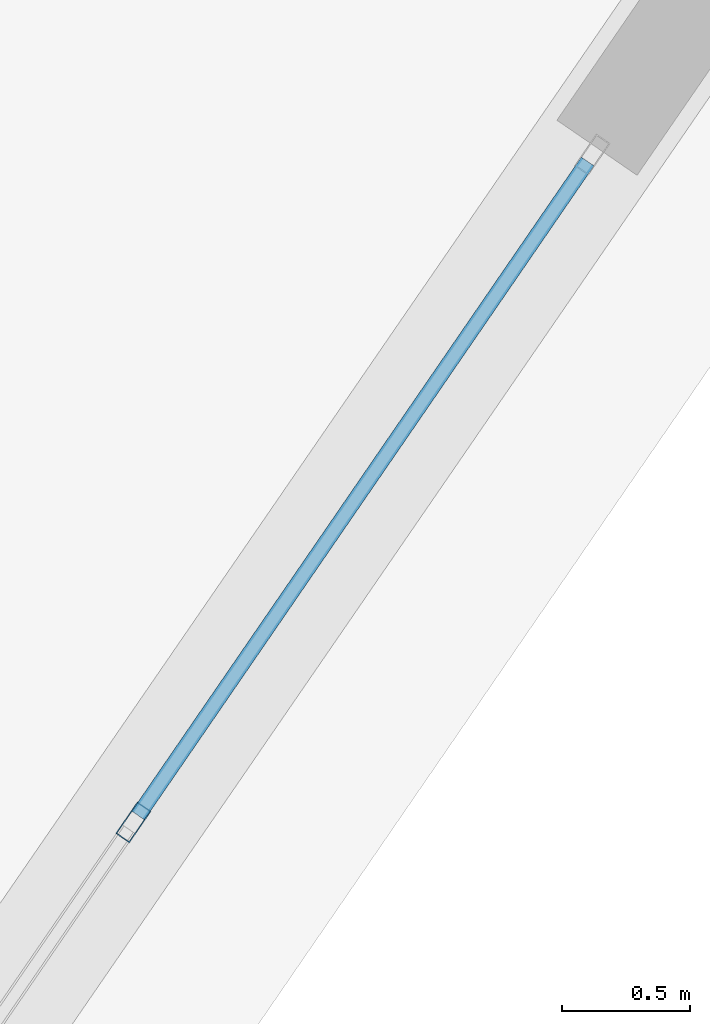
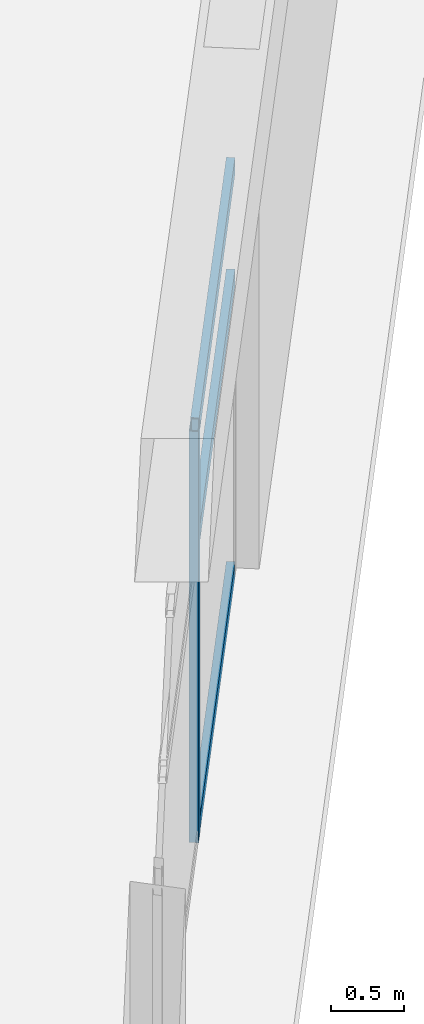
# One storey, part 10 of 35: 4 members, 1 element without a shape of its own.
"""IFC4 building model written with IfcOpenShell, lengths in metres."""

from ifc_helpers import new_model, si_unit, direction, frame, origin, origin_2d, place, context, subcontext, project, spatial, hollow_rectangle, extrude, source, transform, mapped, material, layer, layer_set, material_profile, profile_set, type_object, element, aggregate, save


model = new_model("IFC4")

# Units and contexts
model_context = context("Model", 3, precision=1e-05, world=origin(), true_north=direction((0.0, 1.0)))
body_context = subcontext(model_context, "Body", "Model", "MODEL_VIEW")
ifc_project = project(units=[si_unit("LENGTHUNIT", "METRE"), si_unit("AREAUNIT", "SQUARE_METRE"), si_unit("VOLUMEUNIT", "CUBIC_METRE"), si_unit("PLANEANGLEUNIT", "RADIAN"), si_unit("MASSUNIT", "GRAM", prefix="KILO")], contexts=[model_context])

# Site, building, storey
site_placement = place(None, origin())
site = spatial("IfcSite", under=ifc_project, at=site_placement, CompositionType="ELEMENT")
building_placement = place(site_placement, origin())
building = spatial("IfcBuilding", under=site, at=building_placement, Name="Liaohun Quay Tower", CompositionType="ELEMENT")
storey_placement = place(building_placement, frame((0.0, 0.0, 282.0)))
storey = spatial("IfcBuildingStorey", under=building, at=storey_placement, Name="L73", CompositionType="ELEMENT", Elevation=282.0)

# Curtain wall, members
ifc_material_1 = material(Name="Upper sky-lobby belvedere curtain wall")
ifc_layer = layer(ifc_material_1, 0.199951171875, Name="Upper sky-lobby belvedere curtain wall")
ifc_layer_set = layer_set([ifc_layer], Name="Upper sky-lobby belvedere curtain wall")
curtain_wall_type = type_object("IfcCurtainWallType", Name="CW-SKY-L73", PredefinedType="NOTDEFINED", material=ifc_layer_set)
curtain_wall_placement = place(storey_placement, origin())
curtain_wall = element("IfcCurtainWall", 1, at=curtain_wall_placement, inside=storey, type_object=curtain_wall_type, Name="L73 Panoramic Belvedere Curtain Wall 01", PredefinedType="NOTDEFINED")
ifc_material_2 = material(Name="Anodised aluminium 6063-T6", Category="aluminium")
ifc_material_profile_1 = material_profile(ifc_material_2, hollow_rectangle(XDim=0.06494140625, YDim=0.14990234375, WallThickness=0.00390625, at=origin_2d()), Name="RHS150x65x4")
ifc_profile_set_1 = profile_set([ifc_material_profile_1], Name="Anodised aluminium 6063-T6")
member_type_1 = type_object("IfcMemberType", Name="MEM-CWM-SKY", PredefinedType="MULLION", material=ifc_profile_set_1)
shared_shape_1 = source(origin(), body_context, "Body", "SweptSolid", [
    extrude(hollow_rectangle(XDim=0.06494140625, YDim=0.14990234375, WallThickness=0.00390625, at=origin_2d()), origin(), (0.0, 0.0, 1.0), 3.419921875),
])
member_1_placement = place(storey_placement, frame((71.75341796875, 30.85791015625, 0.0), z_axis=(0.0, 0.0, 1.0), x_axis=(-0.824105748577, 0.566435976225, 0.0)))
member_1 = element("IfcMember", 2, at=member_1_placement, type_object=member_type_1, Name="CW5 mullion 2", PredefinedType="MULLION", context=body_context, shape_type="MappedRepresentation", body=[
    mapped(shared_shape_1, transform((0.0, 0.0, 0.0), x_axis=(1.0, 0.0, 0.0), y_axis=(0.0, 1.0, 0.0), z_axis=(0.0, 0.0, 1.0), scale=1.0)),
])
ifc_material_profile_2 = material_profile(ifc_material_2, hollow_rectangle(XDim=0.06005859375, YDim=0.135009765625, WallThickness=0.00390625, at=origin_2d()), Name="RHS135x60x4")
ifc_profile_set_2 = profile_set([ifc_material_profile_2], Name="Anodised aluminium 6063-T6")
member_type_2 = type_object("IfcMemberType", Name="MEM-CWT-SKY", PredefinedType="USERDEFINED", material=ifc_profile_set_2)
shared_shape_2 = source(origin(), body_context, "Body", "SweptSolid", [
    extrude(hollow_rectangle(XDim=0.06005859375, YDim=0.135009765625, WallThickness=0.00390625, at=origin_2d()), origin(), (0.0, 0.0, 1.0), 3.102294921875),
])
member_2_placement = place(storey_placement, frame((71.77197265625, 30.884765625, 0.030029296875), z_axis=(0.566448663736, 0.824097027875, 0.0), x_axis=(-0.824097027875, 0.566448663736, 0.0)))
member_2 = element("IfcMember", 3, at=member_2_placement, type_object=member_type_2, Name="CW5 transom 2.1", ObjectType="TRANSOM", PredefinedType="USERDEFINED", context=body_context, shape_type="MappedRepresentation", body=[
    mapped(shared_shape_2, transform((0.0, 0.0, 0.0), x_axis=(1.0, 0.0, 0.0), y_axis=(0.0, 1.0, 0.0), z_axis=(0.0, 0.0, 1.0), scale=1.0)),
])
member_3_placement = place(storey_placement, frame((71.77197265625, 30.884765625, 2.4619140625), z_axis=(0.566448663736, 0.824097027875, 0.0), x_axis=(-0.824097027875, 0.566448663736, 0.0)))
member_3 = element("IfcMember", 4, at=member_3_placement, type_object=member_type_2, Name="CW5 transom 2.2", ObjectType="TRANSOM", PredefinedType="USERDEFINED", context=body_context, shape_type="MappedRepresentation", body=[
    mapped(shared_shape_2, transform((0.0, 0.0, 0.0), x_axis=(1.0, 0.0, 0.0), y_axis=(0.0, 1.0, 0.0), z_axis=(0.0, 0.0, 1.0), scale=1.0)),
])
member_4_placement = place(storey_placement, frame((71.77197265625, 30.884765625, 3.389892578125), z_axis=(0.566448663736, 0.824097027875, 0.0), x_axis=(-0.824097027875, 0.566448663736, 0.0)))
member_4 = element("IfcMember", 5, at=member_4_placement, type_object=member_type_2, Name="CW5 transom 2.3", ObjectType="TRANSOM", PredefinedType="USERDEFINED", context=body_context, shape_type="MappedRepresentation", body=[
    mapped(shared_shape_2, transform((0.0, 0.0, 0.0), x_axis=(1.0, 0.0, 0.0), y_axis=(0.0, 1.0, 0.0), z_axis=(0.0, 0.0, 1.0), scale=1.0)),
])
aggregate(curtain_wall, [member_1, member_2, member_3, member_4])

save(model, "model.ifc")
